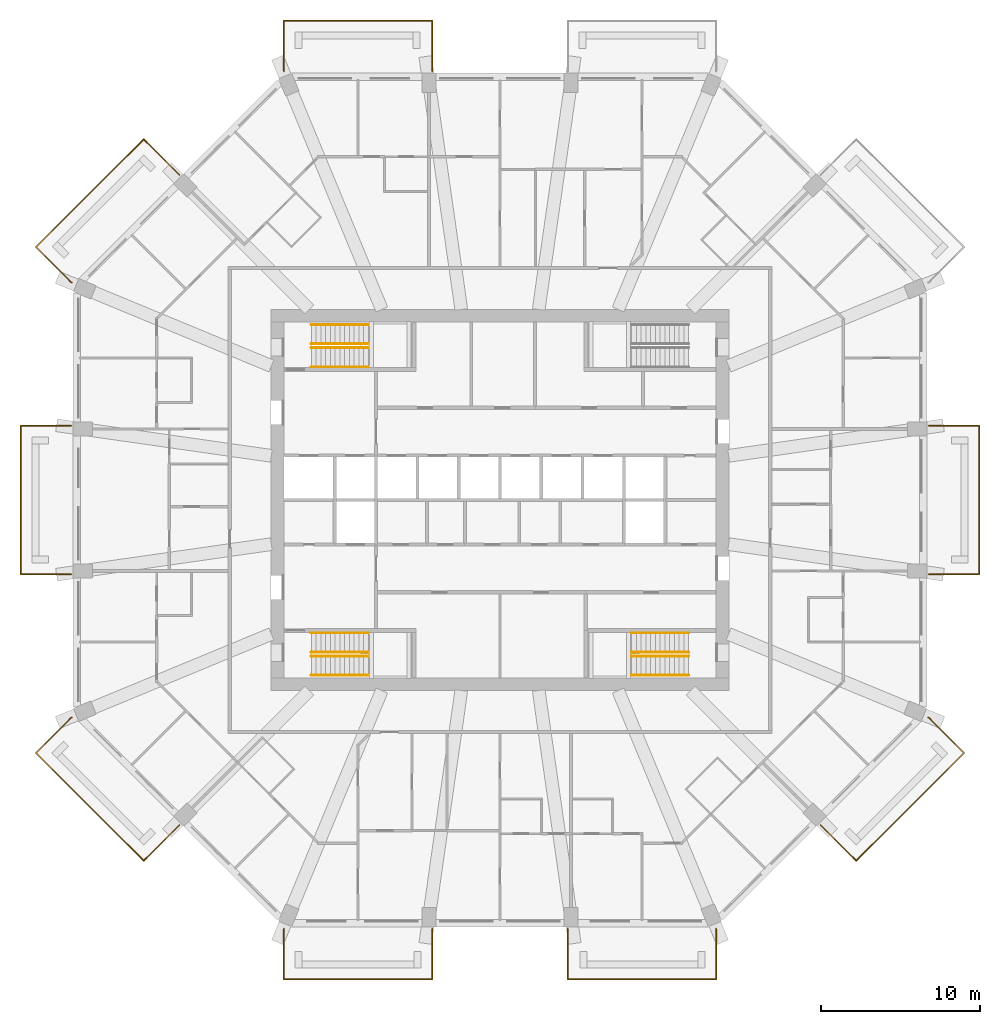
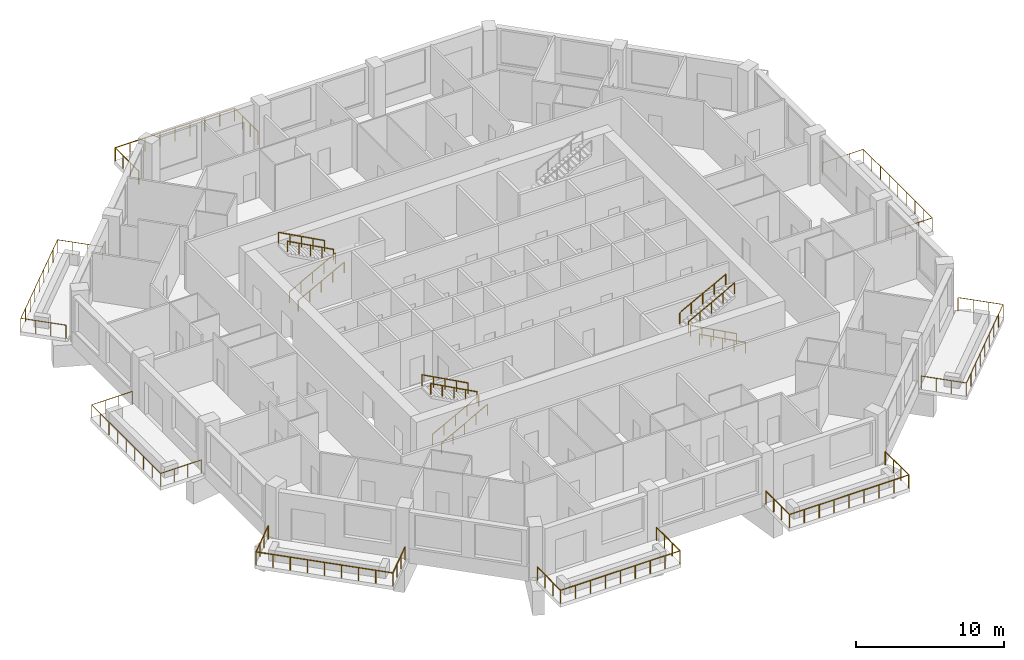
# One storey, part 12 of 13: 20 railings.
"""IFC4 building model written with IfcOpenShell, lengths in metres."""

import ifcopenshell
import ifcopenshell.guid

model = None  # the IFC model being written
_history = None  # IfcOwnerHistory: only IFC2X3 demands one
_inside = {}  # id of a spatial element -> (the spatial element, [elements in it])
_under = {}  # id of a project, library or spatial element -> (it, [spatial elements below it])
_declared = {}  # id of a project -> (the project, [libraries it declares])
_typed = {}  # id of a type object -> (the type object, [elements of that type])
_made_of = {}  # id of a material, layer set ... -> (it, [elements and type objects made of it])


def new_model(schema):
    """Start an empty IFC model of exactly this schema.

    Asked for "IFC4X3", IfcOpenShell would pick the latest addendum, in which some entities
    have other attributes; the version numbers below select the first issue.
    IFC2X3 requires an IfcOwnerHistory on every rooted entity: one is made here for all.
    """
    global model, _history
    if schema == "IFC4X3":
        model = ifcopenshell.file(schema_version=(4, 3, 0, 0))
    else:
        model = ifcopenshell.file(schema=schema)
    _inside.clear()
    _under.clear()
    _declared.clear()
    _typed.clear()
    _made_of.clear()
    _history = None
    if model.schema == "IFC2X3":
        org = make("IfcOrganization", Name="unknown")
        user = make(
            "IfcPersonAndOrganization",
            ThePerson=make("IfcPerson", FamilyName="unknown"),
            TheOrganization=org,
        )
        app = make(
            "IfcApplication",
            ApplicationDeveloper=org,
            Version="unknown",
            ApplicationFullName="unknown",
            ApplicationIdentifier="unknown",
        )
        _history = make(
            "IfcOwnerHistory",
            OwningUser=user,
            OwningApplication=app,
            ChangeAction="ADDED",
            CreationDate=0,
        )
    return model


def make(cls, **values):
    """One entity of the class cls with the attributes given. An attribute that is None is left unset."""
    return model.create_entity(
        cls, **{name: value for name, value in values.items() if value is not None}
    )


def rooted(cls, **values):
    """An entity with a GlobalId (a new one), such as an element, a storey or a relation."""
    return make(cls, GlobalId=ifcopenshell.guid.new(), OwnerHistory=_history, **values)


def si_unit(unit_type, name, prefix=None):
    """IfcSIUnit, for example si_unit("LENGTHUNIT", "METRE", prefix="MILLI")."""
    return make("IfcSIUnit", UnitType=unit_type, Prefix=prefix, Name=name)


def assignment(units):
    """IfcUnitAssignment: the units of a project."""
    return None if units is None else make("IfcUnitAssignment", Units=units)


def point(xyz):
    """IfcCartesianPoint."""
    return None if xyz is None else make("IfcCartesianPoint", Coordinates=xyz)


def direction(xyz):
    """IfcDirection."""
    return None if xyz is None else make("IfcDirection", DirectionRatios=xyz)


def frame(location, z_axis=None, x_axis=None):
    """IfcAxis2Placement3D, a coordinate frame: its origin and axes. An axis left out is left unset."""
    return make(
        "IfcAxis2Placement3D",
        Location=point(location),
        Axis=direction(z_axis),
        RefDirection=direction(x_axis),
    )


def frame_2d(location, x_axis=None):
    """IfcAxis2Placement2D, a coordinate frame in the plane: its origin and x axis."""
    return make(
        "IfcAxis2Placement2D", Location=point(location), RefDirection=direction(x_axis)
    )


def origin():
    """The frame at (0, 0, 0) with its axes left unset."""
    return frame((0.0, 0.0, 0.0))


def origin_2d():
    """The frame at (0, 0) in the plane with its x axis left unset."""
    return frame_2d((0.0, 0.0))


def place(relative_to, where):
    """IfcLocalPlacement: puts the frame where relative to a parent placement (None: the world)."""
    return make(
        "IfcLocalPlacement", PlacementRelTo=relative_to, RelativePlacement=where
    )


def context(
    kind, dimensions, precision=None, world=None, true_north=None, identifier=None
):
    """IfcGeometricRepresentationContext, for example the 3D "Model" context."""
    return make(
        "IfcGeometricRepresentationContext",
        ContextIdentifier=identifier,
        ContextType=kind,
        CoordinateSpaceDimension=dimensions,
        Precision=precision,
        WorldCoordinateSystem=world,
        TrueNorth=true_north,
    )


def subcontext(parent, identifier, kind, view, scale=None):
    """IfcGeometricRepresentationSubContext, for example "Body" below "Model"."""
    return make(
        "IfcGeometricRepresentationSubContext",
        ContextIdentifier=identifier,
        ContextType=kind,
        ParentContext=parent,
        TargetScale=scale,
        TargetView=view,
    )


def project(units=None, contexts=None):
    """IfcProject with its units and contexts."""
    return rooted(
        "IfcProject",
        Name="project",
        RepresentationContexts=contexts,
        UnitsInContext=assignment(units),
    )


def spatial(cls, under=None, at=None, **own):
    """A site, building, storey or space (cls), placed at a placement, below another one or the project."""
    s = rooted(cls, ObjectPlacement=at, **own)
    if under is not None:
        _under.setdefault(under.id(), (under, []))[1].append(s)
    return s


def profile(cls, at=None, kind="AREA", **sizes):
    """A parametric profile (cls). Its sizes go by their IFC names, for example OverallWidth=200.0."""
    return make(cls, ProfileType=kind, Position=at, **sizes)


def circle(**sizes):
    """IfcCircleProfileDef."""
    return profile("IfcCircleProfileDef", **sizes)


def extrude(swept, where, along, depth):
    """IfcExtrudedAreaSolid: the profile swept, set in the frame where, extruded along a direction by depth."""
    return make(
        "IfcExtrudedAreaSolid",
        SweptArea=swept,
        Position=where,
        ExtrudedDirection=direction(along),
        Depth=depth,
    )


def shape(context_of_items, identifier, shape_type, items):
    """IfcShapeRepresentation: the items that make up one representation, for example the "Body"."""
    return make(
        "IfcShapeRepresentation",
        ContextOfItems=context_of_items,
        RepresentationIdentifier=identifier,
        RepresentationType=shape_type,
        Items=items,
    )


def material(Name=None, Category=None):
    """IfcMaterial."""
    return make("IfcMaterial", Name=Name, Category=Category)


def constituent(of_material, Name=None, Category=None, fraction=None):
    """IfcMaterialConstituent: one of the materials an element consists of."""
    return make(
        "IfcMaterialConstituent",
        Name=Name,
        Material=of_material,
        Fraction=fraction,
        Category=Category,
    )


def constituent_set(constituents=None, Name=None):
    """IfcMaterialConstituentSet."""
    return make(
        "IfcMaterialConstituentSet", Name=Name, MaterialConstituents=constituents
    )


def made_of(thing, what):
    """Note that an element or type object is made of a material, layer set ...; save() writes the relation."""
    if what is not None:
        _made_of.setdefault(what.id(), (what, []))[1].append(thing)
    return thing


def type_object(cls, material=None, **own):
    """A type object (cls), such as IfcWallType, which elements share."""
    return made_of(rooted(cls, **own), material)


def element(
    cls,
    number,
    at=None,
    inside=None,
    cuts=None,
    type_object=None,
    material=None,
    context=None,
    identifier="Body",
    shape_type=None,
    held_by="IfcProductDefinitionShape",
    body=None,
    shapes=None,
    **own,
):
    """One element of the class cls, such as IfcWall. Its Tag is "e" and its number.

    at: its placement. inside: the storey or other place that contains it. cuts: it is an
    opening in that element (IfcRelVoidsElement). A single representation is given by context,
    identifier, shape_type and body (its items); several are given by shapes. held_by: the class
    of the entity that holds the representations. save() writes the other relations.
    """
    e = rooted(cls, Tag="e%d" % number, ObjectPlacement=at, **own)
    if body is not None:
        shapes = [shape(context, identifier, shape_type, body)]
    if shapes is not None:
        e.Representation = make(held_by, Representations=shapes)
    if inside is not None:
        _inside.setdefault(inside.id(), (inside, []))[1].append(e)
    if cuts is not None:
        rooted(
            "IfcRelVoidsElement", RelatingBuildingElement=cuts, RelatedOpeningElement=e
        )
    if type_object is not None:
        _typed.setdefault(type_object.id(), (type_object, []))[1].append(e)
    return made_of(e, material)


def aggregate(whole, parts):
    """IfcRelAggregates: a whole, such as a stair, and the parts it consists of."""
    return rooted("IfcRelAggregates", RelatingObject=whole, RelatedObjects=parts)


def save(model, path):
    """Write the relations noted so far, then the file.

    IfcRelAggregates (storeys below a building ...), IfcRelContainedInSpatialStructure (elements
    in a storey), IfcRelDefinesByType, IfcRelAssociatesMaterial and IfcRelDeclares: one each for
    every whole, place, type object, material and project.
    """
    for whole, parts in _under.values():
        aggregate(whole, parts)
    for where, things in _inside.values():
        rooted(
            "IfcRelContainedInSpatialStructure",
            RelatedElements=things,
            RelatingStructure=where,
        )
    for kind, things in _typed.values():
        rooted("IfcRelDefinesByType", RelatedObjects=things, RelatingType=kind)
    for what, things in _made_of.values():
        rooted("IfcRelAssociatesMaterial", RelatedObjects=things, RelatingMaterial=what)
    for by, libraries in _declared.values():
        rooted("IfcRelDeclares", RelatingContext=by, RelatedDefinitions=libraries)
    model.write(path)


model = new_model("IFC4")

# Units and contexts
model_context = context("Model", 3, precision=1e-05, world=origin(), true_north=direction((0.0, 1.0)))
body_context = subcontext(model_context, "Body", "Model", "MODEL_VIEW")
ifc_project = project(units=[si_unit("LENGTHUNIT", "METRE"), si_unit("AREAUNIT", "SQUARE_METRE"), si_unit("VOLUMEUNIT", "CUBIC_METRE"), si_unit("PLANEANGLEUNIT", "RADIAN"), si_unit("MASSUNIT", "GRAM", prefix="KILO")], contexts=[model_context])

# Site, building, storey
site_placement = place(None, origin())
site = spatial("IfcSite", under=ifc_project, at=site_placement, CompositionType="ELEMENT")
building_placement = place(site_placement, origin())
building = spatial("IfcBuilding", under=site, at=building_placement, Name="Msitu Wima Residences", CompositionType="ELEMENT")
storey_placement = place(building_placement, frame((0.0, 0.0, 106.5)))
storey = spatial("IfcBuildingStorey", under=building, at=storey_placement, Name="L24", CompositionType="ELEMENT", Elevation=106.5)

# Railings
ifc_material_1 = material(Name="Steel S355", Category="steel")
ifc_constituent_1 = constituent(ifc_material_1, Name="Steel S355")
ifc_material_2 = material(Name="Weathering patina")
ifc_constituent_2 = constituent(ifc_material_2, Name="Weathering patina")
ifc_constituent_set_1 = constituent_set(constituents=[ifc_constituent_1, ifc_constituent_2], Name="Steel S355")
railing_type_1 = type_object("IfcRailingType", Name="Balcony guard GR1100", PredefinedType="GUARDRAIL", material=ifc_constituent_set_1)
railing_1_placement = place(storey_placement, frame((26.97998046875, 4.668701171875, 0.0)))
element("IfcRailing", 1, at=railing_1_placement, inside=storey, type_object=railing_type_1, Name="Balcony guard E1 L24", PredefinedType="GUARDRAIL", context=body_context, shape_type="SweptSolid", body=[
    extrude(circle(Radius=0.02392578125, at=origin_2d()), frame((0.0, 0.0, 1.076171875), z_axis=(1.0, 0.0, 0.0), x_axis=(0.0, 1.0, 0.0)), (0.0, 0.0, 1.0), 3.169921875),
    extrude(circle(Radius=0.02392578125, at=origin_2d()), frame((3.169921875, 0.0, 1.076171875), z_axis=(0.0, -1.0, 0.0), x_axis=(1.0, 0.0, 0.0)), (0.0, 0.0, 1.0), 9.33740234375),
    extrude(circle(Radius=0.02392578125, at=origin_2d()), frame((3.169921875, -9.33740234375, 1.076171875), z_axis=(-1.0, 0.0, 0.0), x_axis=(0.0, -1.0, 0.0)), (0.0, 0.0, 1.0), 3.169921875),
    extrude(circle(Radius=0.02099609375, at=origin_2d()), origin(), (0.0, 0.0, 1.0), 1.052001953125),
    extrude(circle(Radius=0.02099609375, at=origin_2d()), frame((1.056640625, 0.0, 0.0)), (0.0, 0.0, 1.0), 1.052001953125),
    extrude(circle(Radius=0.02099609375, at=origin_2d()), frame((2.11328125, 0.0, 0.0)), (0.0, 0.0, 1.0), 1.052001953125),
    extrude(circle(Radius=0.02099609375, at=origin_2d()), frame((3.169921875, 0.0, 0.0)), (0.0, 0.0, 1.0), 1.052001953125),
    extrude(circle(Radius=0.02099609375, at=origin_2d()), frame((3.169921875, -1.167236328125, 0.0)), (0.0, 0.0, 1.0), 1.052001953125),
    extrude(circle(Radius=0.02099609375, at=origin_2d()), frame((3.169921875, -2.33447265625, 0.0)), (0.0, 0.0, 1.0), 1.052001953125),
    extrude(circle(Radius=0.02099609375, at=origin_2d()), frame((3.169921875, -3.50146484375, 0.0)), (0.0, 0.0, 1.0), 1.052001953125),
    extrude(circle(Radius=0.02099609375, at=origin_2d()), frame((3.169921875, -4.668701171875, 0.0)), (0.0, 0.0, 1.0), 1.052001953125),
    extrude(circle(Radius=0.02099609375, at=origin_2d()), frame((3.169921875, -5.8359375, 0.0)), (0.0, 0.0, 1.0), 1.052001953125),
    extrude(circle(Radius=0.02099609375, at=origin_2d()), frame((3.169921875, -7.0029296875, 0.0)), (0.0, 0.0, 1.0), 1.052001953125),
    extrude(circle(Radius=0.02099609375, at=origin_2d()), frame((3.169921875, -8.170166015625, 0.0)), (0.0, 0.0, 1.0), 1.052001953125),
    extrude(circle(Radius=0.02099609375, at=origin_2d()), frame((3.169921875, -9.33740234375, 0.0)), (0.0, 0.0, 1.0), 1.052001953125),
    extrude(circle(Radius=0.02099609375, at=origin_2d()), frame((2.11328125, -9.33740234375, 0.0)), (0.0, 0.0, 1.0), 1.052001953125),
    extrude(circle(Radius=0.02099609375, at=origin_2d()), frame((1.056640625, -9.33740234375, 0.0)), (0.0, 0.0, 1.0), 1.052001953125),
    extrude(circle(Radius=0.02099609375, at=origin_2d()), frame((0.0, -9.33740234375, 0.0)), (0.0, 0.0, 1.0), 1.052001953125),
])
railing_2_placement = place(storey_placement, frame((-13.592041015625, 26.97998046875, 0.0)))
element("IfcRailing", 2, at=railing_2_placement, inside=storey, type_object=railing_type_1, Name="Balcony guard N2 L24", PredefinedType="GUARDRAIL", context=body_context, shape_type="SweptSolid", body=[
    extrude(circle(Radius=0.02392578125, at=origin_2d()), frame((0.0, 0.0, 1.076171875), z_axis=(-0.384136806859, 0.923276184907, 0.0), x_axis=(-0.923276184907, -0.384136806859, 0.0)), (0.0, 0.0, 1.0), 0.0361328125),
    extrude(circle(Radius=0.02392578125, at=origin_2d()), frame((-0.013916015625, 0.033447265625, 1.076171875), z_axis=(0.0, 1.0, 0.0), x_axis=(-1.0, 0.0, 0.0)), (0.0, 0.0, 1.0), 3.136474609375),
    extrude(circle(Radius=0.02392578125, at=origin_2d()), frame((-0.013916015625, 3.169921875, 1.076171875), z_axis=(1.0, 0.0, 0.0), x_axis=(0.0, 1.0, 0.0)), (0.0, 0.0, 1.0), 9.33740234375),
    extrude(circle(Radius=0.02392578125, at=origin_2d()), frame((9.323486328125, 3.169921875, 1.076171875), z_axis=(0.0, -1.0, 0.0), x_axis=(1.0, 0.0, 0.0)), (0.0, 0.0, 1.0), 3.169921875),
    extrude(circle(Radius=0.02099609375, at=origin_2d()), origin(), (0.0, 0.0, 1.0), 1.052001953125),
    extrude(circle(Radius=0.02099609375, at=origin_2d()), frame((-0.013916015625, 0.033447265625, 0.0)), (0.0, 0.0, 1.0), 1.052001953125),
    extrude(circle(Radius=0.02099609375, at=origin_2d()), frame((-0.013916015625, 1.078857421875, 0.0)), (0.0, 0.0, 1.0), 1.052001953125),
    extrude(circle(Radius=0.02099609375, at=origin_2d()), frame((-0.013916015625, 2.12451171875, 0.0)), (0.0, 0.0, 1.0), 1.052001953125),
    extrude(circle(Radius=0.02099609375, at=origin_2d()), frame((-0.013916015625, 3.169921875, 0.0)), (0.0, 0.0, 1.0), 1.052001953125),
    extrude(circle(Radius=0.02099609375, at=origin_2d()), frame((1.1533203125, 3.169921875, 0.0)), (0.0, 0.0, 1.0), 1.052001953125),
    extrude(circle(Radius=0.02099609375, at=origin_2d()), frame((2.3203125, 3.169921875, 0.0)), (0.0, 0.0, 1.0), 1.052001953125),
    extrude(circle(Radius=0.02099609375, at=origin_2d()), frame((3.487548828125, 3.169921875, 0.0)), (0.0, 0.0, 1.0), 1.052001953125),
    extrude(circle(Radius=0.02099609375, at=origin_2d()), frame((4.65478515625, 3.169921875, 0.0)), (0.0, 0.0, 1.0), 1.052001953125),
    extrude(circle(Radius=0.02099609375, at=origin_2d()), frame((5.822021484375, 3.169921875, 0.0)), (0.0, 0.0, 1.0), 1.052001953125),
    extrude(circle(Radius=0.02099609375, at=origin_2d()), frame((6.9892578125, 3.169921875, 0.0)), (0.0, 0.0, 1.0), 1.052001953125),
    extrude(circle(Radius=0.02099609375, at=origin_2d()), frame((8.15625, 3.169921875, 0.0)), (0.0, 0.0, 1.0), 1.052001953125),
    extrude(circle(Radius=0.02099609375, at=origin_2d()), frame((9.323486328125, 3.169921875, 0.0)), (0.0, 0.0, 1.0), 1.052001953125),
    extrude(circle(Radius=0.02099609375, at=origin_2d()), frame((9.323486328125, 2.11328125, 0.0)), (0.0, 0.0, 1.0), 1.052001953125),
    extrude(circle(Radius=0.02099609375, at=origin_2d()), frame((9.323486328125, 1.056640625, 0.0)), (0.0, 0.0, 1.0), 1.052001953125),
    extrude(circle(Radius=0.02099609375, at=origin_2d()), frame((9.323486328125, 0.0, 0.0)), (0.0, 0.0, 1.0), 1.052001953125),
])
railing_3_placement = place(storey_placement, frame((-26.941650390625, 13.684326171875, 0.0)))
element("IfcRailing", 3, at=railing_3_placement, inside=storey, type_object=railing_type_1, Name="Balcony guard NW1 L24", PredefinedType="GUARDRAIL", context=body_context, shape_type="SweptSolid", body=[
    extrude(circle(Radius=0.02392578125, at=origin_2d()), frame((0.0, 0.0, 1.076171875), z_axis=(-0.92426142649, 0.38176015442, 0.0), x_axis=(-0.38176015442, -0.92426142649, 0.0)), (0.0, 0.0, 1.0), 0.036376953125),
    extrude(circle(Radius=0.02392578125, at=origin_2d()), frame((-0.03369140625, 0.013916015625, 1.076171875), z_axis=(-0.707106781187, 0.707106781187, 0.0), x_axis=(-0.707106781187, -0.707106781187, 0.0)), (0.0, 0.0, 1.0), 3.136474609375),
    extrude(circle(Radius=0.02392578125, at=origin_2d()), frame((-2.25146484375, 2.231689453125, 1.076171875), z_axis=(0.707106781187, 0.707106781187, 0.0), x_axis=(-0.707106781187, 0.707106781187, 0.0)), (0.0, 0.0, 1.0), 9.58837890625),
    extrude(circle(Radius=0.02392578125, at=origin_2d()), frame((4.528564453125, 9.01171875, 1.076171875), z_axis=(0.707106781187, -0.707106781187, 0.0), x_axis=(0.707106781187, 0.707106781187, 0.0)), (0.0, 0.0, 1.0), 3.169921875),
    extrude(circle(Radius=0.02099609375, at=origin_2d()), origin(), (0.0, 0.0, 1.0), 1.052001953125),
    extrude(circle(Radius=0.02099609375, at=origin_2d()), frame((-0.03369140625, 0.013916015625, 0.0)), (0.0, 0.0, 1.0), 1.052001953125),
    extrude(circle(Radius=0.02099609375, at=origin_2d()), frame((-0.77294921875, 0.753173828125, 0.0)), (0.0, 0.0, 1.0), 1.052001953125),
    extrude(circle(Radius=0.02099609375, at=origin_2d()), frame((-1.51220703125, 1.492431640625, 0.0)), (0.0, 0.0, 1.0), 1.052001953125),
    extrude(circle(Radius=0.02099609375, at=origin_2d()), frame((-2.25146484375, 2.231689453125, 0.0)), (0.0, 0.0, 1.0), 1.052001953125),
    extrude(circle(Radius=0.02099609375, at=origin_2d()), frame((-1.404052734375, 3.0791015625, 0.0)), (0.0, 0.0, 1.0), 1.052001953125),
    extrude(circle(Radius=0.02099609375, at=origin_2d()), frame((-0.556396484375, 3.9267578125, 0.0)), (0.0, 0.0, 1.0), 1.052001953125),
    extrude(circle(Radius=0.02099609375, at=origin_2d()), frame((0.291015625, 4.774169921875, 0.0)), (0.0, 0.0, 1.0), 1.052001953125),
    extrude(circle(Radius=0.02099609375, at=origin_2d()), frame((1.138671875, 5.62158203125, 0.0)), (0.0, 0.0, 1.0), 1.052001953125),
    extrude(circle(Radius=0.02099609375, at=origin_2d()), frame((1.986083984375, 6.46923828125, 0.0)), (0.0, 0.0, 1.0), 1.052001953125),
    extrude(circle(Radius=0.02099609375, at=origin_2d()), frame((2.83349609375, 7.316650390625, 0.0)), (0.0, 0.0, 1.0), 1.052001953125),
    extrude(circle(Radius=0.02099609375, at=origin_2d()), frame((3.68115234375, 8.164306640625, 0.0)), (0.0, 0.0, 1.0), 1.052001953125),
    extrude(circle(Radius=0.02099609375, at=origin_2d()), frame((4.528564453125, 9.01171875, 0.0)), (0.0, 0.0, 1.0), 1.052001953125),
    extrude(circle(Radius=0.02099609375, at=origin_2d()), frame((5.275634765625, 8.2646484375, 0.0)), (0.0, 0.0, 1.0), 1.052001953125),
    extrude(circle(Radius=0.02099609375, at=origin_2d()), frame((6.02294921875, 7.517333984375, 0.0)), (0.0, 0.0, 1.0), 1.052001953125),
    extrude(circle(Radius=0.02099609375, at=origin_2d()), frame((6.77001953125, 6.770263671875, 0.0)), (0.0, 0.0, 1.0), 1.052001953125),
])
railing_4_placement = place(storey_placement, frame((-26.97998046875, -4.668701171875, 0.0)))
element("IfcRailing", 4, at=railing_4_placement, inside=storey, type_object=railing_type_1, Name="Balcony guard W1 L24", PredefinedType="GUARDRAIL", context=body_context, shape_type="SweptSolid", body=[
    extrude(circle(Radius=0.02392578125, at=origin_2d()), frame((0.0, 0.0, 1.076171875), z_axis=(-1.0, 0.0, 0.0), x_axis=(0.0, -1.0, 0.0)), (0.0, 0.0, 1.0), 3.169921875),
    extrude(circle(Radius=0.02392578125, at=origin_2d()), frame((-3.169921875, 0.0, 1.076171875), z_axis=(0.0, 1.0, 0.0), x_axis=(-1.0, 0.0, 0.0)), (0.0, 0.0, 1.0), 9.33740234375),
    extrude(circle(Radius=0.02392578125, at=origin_2d()), frame((-3.169921875, 9.33740234375, 1.076171875), z_axis=(1.0, 0.0, 0.0), x_axis=(0.0, 1.0, 0.0)), (0.0, 0.0, 1.0), 3.169921875),
    extrude(circle(Radius=0.02099609375, at=origin_2d()), origin(), (0.0, 0.0, 1.0), 1.052001953125),
    extrude(circle(Radius=0.02099609375, at=origin_2d()), frame((-1.056640625, 0.0, 0.0)), (0.0, 0.0, 1.0), 1.052001953125),
    extrude(circle(Radius=0.02099609375, at=origin_2d()), frame((-2.11328125, 0.0, 0.0)), (0.0, 0.0, 1.0), 1.052001953125),
    extrude(circle(Radius=0.02099609375, at=origin_2d()), frame((-3.169921875, 0.0, 0.0)), (0.0, 0.0, 1.0), 1.052001953125),
    extrude(circle(Radius=0.02099609375, at=origin_2d()), frame((-3.169921875, 1.167236328125, 0.0)), (0.0, 0.0, 1.0), 1.052001953125),
    extrude(circle(Radius=0.02099609375, at=origin_2d()), frame((-3.169921875, 2.33447265625, 0.0)), (0.0, 0.0, 1.0), 1.052001953125),
    extrude(circle(Radius=0.02099609375, at=origin_2d()), frame((-3.169921875, 3.50146484375, 0.0)), (0.0, 0.0, 1.0), 1.052001953125),
    extrude(circle(Radius=0.02099609375, at=origin_2d()), frame((-3.169921875, 4.668701171875, 0.0)), (0.0, 0.0, 1.0), 1.052001953125),
    extrude(circle(Radius=0.02099609375, at=origin_2d()), frame((-3.169921875, 5.8359375, 0.0)), (0.0, 0.0, 1.0), 1.052001953125),
    extrude(circle(Radius=0.02099609375, at=origin_2d()), frame((-3.169921875, 7.0029296875, 0.0)), (0.0, 0.0, 1.0), 1.052001953125),
    extrude(circle(Radius=0.02099609375, at=origin_2d()), frame((-3.169921875, 8.170166015625, 0.0)), (0.0, 0.0, 1.0), 1.052001953125),
    extrude(circle(Radius=0.02099609375, at=origin_2d()), frame((-3.169921875, 9.33740234375, 0.0)), (0.0, 0.0, 1.0), 1.052001953125),
    extrude(circle(Radius=0.02099609375, at=origin_2d()), frame((-2.11328125, 9.33740234375, 0.0)), (0.0, 0.0, 1.0), 1.052001953125),
    extrude(circle(Radius=0.02099609375, at=origin_2d()), frame((-1.056640625, 9.33740234375, 0.0)), (0.0, 0.0, 1.0), 1.052001953125),
    extrude(circle(Radius=0.02099609375, at=origin_2d()), frame((0.0, 9.33740234375, 0.0)), (0.0, 0.0, 1.0), 1.052001953125),
])
railing_5_placement = place(storey_placement, frame((-20.171630859375, -20.45458984375, 0.0)))
element("IfcRailing", 5, at=railing_5_placement, inside=storey, type_object=railing_type_1, Name="Balcony guard SW0 L24", PredefinedType="GUARDRAIL", context=body_context, shape_type="SweptSolid", body=[
    extrude(circle(Radius=0.02392578125, at=origin_2d()), frame((0.0, 0.0, 1.076171875), z_axis=(-0.707106781187, -0.707106781187, 0.0), x_axis=(0.707106781187, -0.707106781187, 0.0)), (0.0, 0.0, 1.0), 3.169921875),
    extrude(circle(Radius=0.02392578125, at=origin_2d()), frame((-2.241455078125, -2.241455078125, 1.076171875), z_axis=(-0.707106781187, 0.707106781187, 0.0), x_axis=(-0.707106781187, -0.707106781187, 0.0)), (0.0, 0.0, 1.0), 9.58837890625),
    extrude(circle(Radius=0.02392578125, at=origin_2d()), frame((-9.021484375, 4.53857421875, 1.076171875), z_axis=(0.707106781187, 0.707106781187, 0.0), x_axis=(-0.707106781187, 0.707106781187, 0.0)), (0.0, 0.0, 1.0), 3.136474609375),
    extrude(circle(Radius=0.02392578125, at=origin_2d()), frame((-6.8037109375, 6.75634765625, 1.076171875), z_axis=(0.92426142649, 0.38176015442, 0.0), x_axis=(-0.38176015442, 0.92426142649, 0.0)), (0.0, 0.0, 1.0), 0.036376953125),
    extrude(circle(Radius=0.02099609375, at=origin_2d()), origin(), (0.0, 0.0, 1.0), 1.052001953125),
    extrude(circle(Radius=0.02099609375, at=origin_2d()), frame((-0.7470703125, -0.7470703125, 0.0)), (0.0, 0.0, 1.0), 1.052001953125),
    extrude(circle(Radius=0.02099609375, at=origin_2d()), frame((-1.494384765625, -1.494384765625, 0.0)), (0.0, 0.0, 1.0), 1.052001953125),
    extrude(circle(Radius=0.02099609375, at=origin_2d()), frame((-2.241455078125, -2.241455078125, 0.0)), (0.0, 0.0, 1.0), 1.052001953125),
    extrude(circle(Radius=0.02099609375, at=origin_2d()), frame((-3.0888671875, -1.39404296875, 0.0)), (0.0, 0.0, 1.0), 1.052001953125),
    extrude(circle(Radius=0.02099609375, at=origin_2d()), frame((-3.9365234375, -0.54638671875, 0.0)), (0.0, 0.0, 1.0), 1.052001953125),
    extrude(circle(Radius=0.02099609375, at=origin_2d()), frame((-4.783935546875, 0.301025390625, 0.0)), (0.0, 0.0, 1.0), 1.052001953125),
    extrude(circle(Radius=0.02099609375, at=origin_2d()), frame((-5.63134765625, 1.1484375, 0.0)), (0.0, 0.0, 1.0), 1.052001953125),
    extrude(circle(Radius=0.02099609375, at=origin_2d()), frame((-6.47900390625, 1.99609375, 0.0)), (0.0, 0.0, 1.0), 1.052001953125),
    extrude(circle(Radius=0.02099609375, at=origin_2d()), frame((-7.326416015625, 2.843505859375, 0.0)), (0.0, 0.0, 1.0), 1.052001953125),
    extrude(circle(Radius=0.02099609375, at=origin_2d()), frame((-8.174072265625, 3.691162109375, 0.0)), (0.0, 0.0, 1.0), 1.052001953125),
    extrude(circle(Radius=0.02099609375, at=origin_2d()), frame((-9.021484375, 4.53857421875, 0.0)), (0.0, 0.0, 1.0), 1.052001953125),
    extrude(circle(Radius=0.02099609375, at=origin_2d()), frame((-8.2822265625, 5.27783203125, 0.0)), (0.0, 0.0, 1.0), 1.052001953125),
    extrude(circle(Radius=0.02099609375, at=origin_2d()), frame((-7.54296875, 6.01708984375, 0.0)), (0.0, 0.0, 1.0), 1.052001953125),
    extrude(circle(Radius=0.02099609375, at=origin_2d()), frame((-6.8037109375, 6.75634765625, 0.0)), (0.0, 0.0, 1.0), 1.052001953125),
    extrude(circle(Radius=0.02099609375, at=origin_2d()), frame((-6.77001953125, 6.770263671875, 0.0)), (0.0, 0.0, 1.0), 1.052001953125),
])
railing_6_placement = place(storey_placement, frame((-4.2685546875, -26.97998046875, 0.0)))
element("IfcRailing", 6, at=railing_6_placement, inside=storey, type_object=railing_type_1, Name="Balcony guard S0 L24", PredefinedType="GUARDRAIL", context=body_context, shape_type="SweptSolid", body=[
    extrude(circle(Radius=0.02392578125, at=origin_2d()), frame((0.0, 0.0, 1.076171875), z_axis=(0.0, -1.0, 0.0), x_axis=(1.0, 0.0, 0.0)), (0.0, 0.0, 1.0), 3.169921875),
    extrude(circle(Radius=0.02392578125, at=origin_2d()), frame((0.0, -3.169921875, 1.076171875), z_axis=(-1.0, 0.0, 0.0), x_axis=(0.0, -1.0, 0.0)), (0.0, 0.0, 1.0), 9.33740234375),
    extrude(circle(Radius=0.02392578125, at=origin_2d()), frame((-9.33740234375, -3.169921875, 1.076171875), z_axis=(0.0, 1.0, 0.0), x_axis=(-1.0, 0.0, 0.0)), (0.0, 0.0, 1.0), 3.136474609375),
    extrude(circle(Radius=0.02392578125, at=origin_2d()), frame((-9.33740234375, -0.033447265625, 1.076171875), z_axis=(0.384136806859, 0.923276184907, 0.0), x_axis=(-0.923276184907, 0.384136806859, 0.0)), (0.0, 0.0, 1.0), 0.0361328125),
    extrude(circle(Radius=0.02099609375, at=origin_2d()), origin(), (0.0, 0.0, 1.0), 1.052001953125),
    extrude(circle(Radius=0.02099609375, at=origin_2d()), frame((0.0, -1.056640625, 0.0)), (0.0, 0.0, 1.0), 1.052001953125),
    extrude(circle(Radius=0.02099609375, at=origin_2d()), frame((0.0, -2.11328125, 0.0)), (0.0, 0.0, 1.0), 1.052001953125),
    extrude(circle(Radius=0.02099609375, at=origin_2d()), frame((0.0, -3.169921875, 0.0)), (0.0, 0.0, 1.0), 1.052001953125),
    extrude(circle(Radius=0.02099609375, at=origin_2d()), frame((-1.167236328125, -3.169921875, 0.0)), (0.0, 0.0, 1.0), 1.052001953125),
    extrude(circle(Radius=0.02099609375, at=origin_2d()), frame((-2.33447265625, -3.169921875, 0.0)), (0.0, 0.0, 1.0), 1.052001953125),
    extrude(circle(Radius=0.02099609375, at=origin_2d()), frame((-3.50146484375, -3.169921875, 0.0)), (0.0, 0.0, 1.0), 1.052001953125),
    extrude(circle(Radius=0.02099609375, at=origin_2d()), frame((-4.668701171875, -3.169921875, 0.0)), (0.0, 0.0, 1.0), 1.052001953125),
    extrude(circle(Radius=0.02099609375, at=origin_2d()), frame((-5.8359375, -3.169921875, 0.0)), (0.0, 0.0, 1.0), 1.052001953125),
    extrude(circle(Radius=0.02099609375, at=origin_2d()), frame((-7.0029296875, -3.169921875, 0.0)), (0.0, 0.0, 1.0), 1.052001953125),
    extrude(circle(Radius=0.02099609375, at=origin_2d()), frame((-8.170166015625, -3.169921875, 0.0)), (0.0, 0.0, 1.0), 1.052001953125),
    extrude(circle(Radius=0.02099609375, at=origin_2d()), frame((-9.33740234375, -3.169921875, 0.0)), (0.0, 0.0, 1.0), 1.052001953125),
    extrude(circle(Radius=0.02099609375, at=origin_2d()), frame((-9.33740234375, -2.12451171875, 0.0)), (0.0, 0.0, 1.0), 1.052001953125),
    extrude(circle(Radius=0.02099609375, at=origin_2d()), frame((-9.33740234375, -1.078857421875, 0.0)), (0.0, 0.0, 1.0), 1.052001953125),
    extrude(circle(Radius=0.02099609375, at=origin_2d()), frame((-9.33740234375, -0.033447265625, 0.0)), (0.0, 0.0, 1.0), 1.052001953125),
    extrude(circle(Radius=0.02099609375, at=origin_2d()), frame((-9.323486328125, 0.0, 0.0)), (0.0, 0.0, 1.0), 1.052001953125),
])
railing_7_placement = place(storey_placement, frame((13.592041015625, -26.97998046875, 0.0)))
element("IfcRailing", 7, at=railing_7_placement, inside=storey, type_object=railing_type_1, Name="Balcony guard S2 L24", PredefinedType="GUARDRAIL", context=body_context, shape_type="SweptSolid", body=[
    extrude(circle(Radius=0.02392578125, at=origin_2d()), frame((0.0, 0.0, 1.076171875), z_axis=(0.384136806859, -0.923276184907, 0.0), x_axis=(0.923276184907, 0.384136806859, 0.0)), (0.0, 0.0, 1.0), 0.0361328125),
    extrude(circle(Radius=0.02392578125, at=origin_2d()), frame((0.013916015625, -0.033447265625, 1.076171875), z_axis=(0.0, -1.0, 0.0), x_axis=(1.0, 0.0, 0.0)), (0.0, 0.0, 1.0), 3.136474609375),
    extrude(circle(Radius=0.02392578125, at=origin_2d()), frame((0.013916015625, -3.169921875, 1.076171875), z_axis=(-1.0, 0.0, 0.0), x_axis=(0.0, -1.0, 0.0)), (0.0, 0.0, 1.0), 9.33740234375),
    extrude(circle(Radius=0.02392578125, at=origin_2d()), frame((-9.323486328125, -3.169921875, 1.076171875), z_axis=(0.0, 1.0, 0.0), x_axis=(-1.0, 0.0, 0.0)), (0.0, 0.0, 1.0), 3.169921875),
    extrude(circle(Radius=0.02099609375, at=origin_2d()), origin(), (0.0, 0.0, 1.0), 1.052001953125),
    extrude(circle(Radius=0.02099609375, at=origin_2d()), frame((0.013916015625, -0.033447265625, 0.0)), (0.0, 0.0, 1.0), 1.052001953125),
    extrude(circle(Radius=0.02099609375, at=origin_2d()), frame((0.013916015625, -1.078857421875, 0.0)), (0.0, 0.0, 1.0), 1.052001953125),
    extrude(circle(Radius=0.02099609375, at=origin_2d()), frame((0.013916015625, -2.12451171875, 0.0)), (0.0, 0.0, 1.0), 1.052001953125),
    extrude(circle(Radius=0.02099609375, at=origin_2d()), frame((0.013916015625, -3.169921875, 0.0)), (0.0, 0.0, 1.0), 1.052001953125),
    extrude(circle(Radius=0.02099609375, at=origin_2d()), frame((-1.1533203125, -3.169921875, 0.0)), (0.0, 0.0, 1.0), 1.052001953125),
    extrude(circle(Radius=0.02099609375, at=origin_2d()), frame((-2.3203125, -3.169921875, 0.0)), (0.0, 0.0, 1.0), 1.052001953125),
    extrude(circle(Radius=0.02099609375, at=origin_2d()), frame((-3.487548828125, -3.169921875, 0.0)), (0.0, 0.0, 1.0), 1.052001953125),
    extrude(circle(Radius=0.02099609375, at=origin_2d()), frame((-4.65478515625, -3.169921875, 0.0)), (0.0, 0.0, 1.0), 1.052001953125),
    extrude(circle(Radius=0.02099609375, at=origin_2d()), frame((-5.822021484375, -3.169921875, 0.0)), (0.0, 0.0, 1.0), 1.052001953125),
    extrude(circle(Radius=0.02099609375, at=origin_2d()), frame((-6.9892578125, -3.169921875, 0.0)), (0.0, 0.0, 1.0), 1.052001953125),
    extrude(circle(Radius=0.02099609375, at=origin_2d()), frame((-8.15625, -3.169921875, 0.0)), (0.0, 0.0, 1.0), 1.052001953125),
    extrude(circle(Radius=0.02099609375, at=origin_2d()), frame((-9.323486328125, -3.169921875, 0.0)), (0.0, 0.0, 1.0), 1.052001953125),
    extrude(circle(Radius=0.02099609375, at=origin_2d()), frame((-9.323486328125, -2.11328125, 0.0)), (0.0, 0.0, 1.0), 1.052001953125),
    extrude(circle(Radius=0.02099609375, at=origin_2d()), frame((-9.323486328125, -1.056640625, 0.0)), (0.0, 0.0, 1.0), 1.052001953125),
    extrude(circle(Radius=0.02099609375, at=origin_2d()), frame((-9.323486328125, 0.0, 0.0)), (0.0, 0.0, 1.0), 1.052001953125),
])
railing_8_placement = place(storey_placement, frame((26.941650390625, -13.684326171875, 0.0)))
element("IfcRailing", 8, at=railing_8_placement, inside=storey, type_object=railing_type_1, Name="Balcony guard SE1 L24", PredefinedType="GUARDRAIL", context=body_context, shape_type="SweptSolid", body=[
    extrude(circle(Radius=0.02392578125, at=origin_2d()), frame((0.0, 0.0, 1.076171875), z_axis=(0.92426142649, -0.38176015442, 0.0), x_axis=(0.38176015442, 0.92426142649, 0.0)), (0.0, 0.0, 1.0), 0.036376953125),
    extrude(circle(Radius=0.02392578125, at=origin_2d()), frame((0.03369140625, -0.013916015625, 1.076171875), z_axis=(0.707106781187, -0.707106781187, 0.0), x_axis=(0.707106781187, 0.707106781187, 0.0)), (0.0, 0.0, 1.0), 3.136474609375),
    extrude(circle(Radius=0.02392578125, at=origin_2d()), frame((2.25146484375, -2.231689453125, 1.076171875), z_axis=(-0.707106781187, -0.707106781187, 0.0), x_axis=(0.707106781187, -0.707106781187, 0.0)), (0.0, 0.0, 1.0), 9.58837890625),
    extrude(circle(Radius=0.02392578125, at=origin_2d()), frame((-4.528564453125, -9.01171875, 1.076171875), z_axis=(-0.707106781187, 0.707106781187, 0.0), x_axis=(-0.707106781187, -0.707106781187, 0.0)), (0.0, 0.0, 1.0), 3.169921875),
    extrude(circle(Radius=0.02099609375, at=origin_2d()), origin(), (0.0, 0.0, 1.0), 1.052001953125),
    extrude(circle(Radius=0.02099609375, at=origin_2d()), frame((0.03369140625, -0.013916015625, 0.0)), (0.0, 0.0, 1.0), 1.052001953125),
    extrude(circle(Radius=0.02099609375, at=origin_2d()), frame((0.77294921875, -0.753173828125, 0.0)), (0.0, 0.0, 1.0), 1.052001953125),
    extrude(circle(Radius=0.02099609375, at=origin_2d()), frame((1.51220703125, -1.492431640625, 0.0)), (0.0, 0.0, 1.0), 1.052001953125),
    extrude(circle(Radius=0.02099609375, at=origin_2d()), frame((2.25146484375, -2.231689453125, 0.0)), (0.0, 0.0, 1.0), 1.052001953125),
    extrude(circle(Radius=0.02099609375, at=origin_2d()), frame((1.404052734375, -3.0791015625, 0.0)), (0.0, 0.0, 1.0), 1.052001953125),
    extrude(circle(Radius=0.02099609375, at=origin_2d()), frame((0.556396484375, -3.9267578125, 0.0)), (0.0, 0.0, 1.0), 1.052001953125),
    extrude(circle(Radius=0.02099609375, at=origin_2d()), frame((-0.291015625, -4.774169921875, 0.0)), (0.0, 0.0, 1.0), 1.052001953125),
    extrude(circle(Radius=0.02099609375, at=origin_2d()), frame((-1.138671875, -5.62158203125, 0.0)), (0.0, 0.0, 1.0), 1.052001953125),
    extrude(circle(Radius=0.02099609375, at=origin_2d()), frame((-1.986083984375, -6.46923828125, 0.0)), (0.0, 0.0, 1.0), 1.052001953125),
    extrude(circle(Radius=0.02099609375, at=origin_2d()), frame((-2.83349609375, -7.316650390625, 0.0)), (0.0, 0.0, 1.0), 1.052001953125),
    extrude(circle(Radius=0.02099609375, at=origin_2d()), frame((-3.68115234375, -8.164306640625, 0.0)), (0.0, 0.0, 1.0), 1.052001953125),
    extrude(circle(Radius=0.02099609375, at=origin_2d()), frame((-4.528564453125, -9.01171875, 0.0)), (0.0, 0.0, 1.0), 1.052001953125),
    extrude(circle(Radius=0.02099609375, at=origin_2d()), frame((-5.275634765625, -8.2646484375, 0.0)), (0.0, 0.0, 1.0), 1.052001953125),
    extrude(circle(Radius=0.02099609375, at=origin_2d()), frame((-6.02294921875, -7.517333984375, 0.0)), (0.0, 0.0, 1.0), 1.052001953125),
    extrude(circle(Radius=0.02099609375, at=origin_2d()), frame((-6.77001953125, -6.770263671875, 0.0)), (0.0, 0.0, 1.0), 1.052001953125),
])
ifc_constituent_3 = constituent(ifc_material_1, Name="Steel S355")
ifc_material_3 = material(Name="Black powder coating")
ifc_constituent_4 = constituent(ifc_material_3, Name="Black powder coating")
ifc_constituent_set_2 = constituent_set(constituents=[ifc_constituent_3, ifc_constituent_4], Name="Steel S355")
railing_type_2 = type_object("IfcRailingType", Name="Stair handrail HR1", PredefinedType="HANDRAIL", material=ifc_constituent_set_2)
for number, where, name in (
    (9, (-11.875, 8.375, 0.16162109375), "Stair 1 handrail"),
    (10, (-11.875, 9.574951171875, 0.16162109375), "Stair 1 handrail"),
):
    element("IfcRailing", number, at=place(storey_placement, frame(where)), inside=storey, type_object=railing_type_2, Name=name, PredefinedType="HANDRAIL", context=body_context, shape_type="SweptSolid", body=[
        extrude(circle(Radius=0.02392578125, at=origin_2d()), frame((0.0, 0.0, 0.8759765625), z_axis=(0.880474934443, 0.0, 0.474092701714), x_axis=(0.0, 1.0, 0.0)), (0.0, 0.0, 1.0), 4.0888671875),
        extrude(circle(Radius=0.02099609375, at=origin_2d()), origin(), (0.0, 0.0, 1.0), 0.851806640625),
        extrude(circle(Radius=0.02099609375, at=origin_2d()), frame((0.89990234375, 0.0, 0.484619140625)), (0.0, 0.0, 1.0), 0.851806640625),
        extrude(circle(Radius=0.02099609375, at=origin_2d()), frame((1.800048828125, 0.0, 0.96923828125)), (0.0, 0.0, 1.0), 0.851806640625),
        extrude(circle(Radius=0.02099609375, at=origin_2d()), frame((2.7001953125, 0.0, 1.453857421875)), (0.0, 0.0, 1.0), 0.851806640625),
        extrude(circle(Radius=0.02099609375, at=origin_2d()), frame((3.60009765625, 0.0, 1.9384765625)), (0.0, 0.0, 1.0), 0.851806640625),
    ])
for number, where, name in (
    (11, (-8.27490234375, 9.824951171875, 2.261474609375), "Stair 1 handrail"),
    (12, (-8.27490234375, 11.02490234375, 2.261474609375), "Stair 1 handrail"),
):
    element("IfcRailing", number, at=place(storey_placement, frame(where)), inside=storey, type_object=railing_type_2, Name=name, PredefinedType="HANDRAIL", context=body_context, shape_type="SweptSolid", body=[
        extrude(circle(Radius=0.02392578125, at=origin_2d()), frame((0.0, 0.0, 0.8759765625), z_axis=(-0.880474934443, 0.0, 0.474092701714), x_axis=(0.0, -1.0, 0.0)), (0.0, 0.0, 1.0), 4.0888671875),
        extrude(circle(Radius=0.02099609375, at=origin_2d()), origin(), (0.0, 0.0, 1.0), 0.851806640625),
        extrude(circle(Radius=0.02099609375, at=origin_2d()), frame((-0.89990234375, 0.0, 0.484619140625)), (0.0, 0.0, 1.0), 0.851806640625),
        extrude(circle(Radius=0.02099609375, at=origin_2d()), frame((-1.800048828125, 0.0, 0.96923828125)), (0.0, 0.0, 1.0), 0.851806640625),
        extrude(circle(Radius=0.02099609375, at=origin_2d()), frame((-2.7001953125, 0.0, 1.453857421875)), (0.0, 0.0, 1.0), 0.851806640625),
        extrude(circle(Radius=0.02099609375, at=origin_2d()), frame((-3.60009765625, 0.0, 1.9384765625)), (0.0, 0.0, 1.0), 0.851806640625),
    ])
for number, where, name in (
    (13, (-11.875, -11.02490234375, 0.16162109375), "Stair 2 handrail"),
    (14, (-11.875, -9.824951171875, 0.16162109375), "Stair 2 handrail"),
):
    element("IfcRailing", number, at=place(storey_placement, frame(where)), inside=storey, type_object=railing_type_2, Name=name, PredefinedType="HANDRAIL", context=body_context, shape_type="SweptSolid", body=[
        extrude(circle(Radius=0.02392578125, at=origin_2d()), frame((0.0, 0.0, 0.8759765625), z_axis=(0.880474934443, 0.0, 0.474092701714), x_axis=(0.0, 1.0, 0.0)), (0.0, 0.0, 1.0), 4.0888671875),
        extrude(circle(Radius=0.02099609375, at=origin_2d()), origin(), (0.0, 0.0, 1.0), 0.851806640625),
        extrude(circle(Radius=0.02099609375, at=origin_2d()), frame((0.89990234375, 0.0, 0.484619140625)), (0.0, 0.0, 1.0), 0.851806640625),
        extrude(circle(Radius=0.02099609375, at=origin_2d()), frame((1.800048828125, 0.0, 0.96923828125)), (0.0, 0.0, 1.0), 0.851806640625),
        extrude(circle(Radius=0.02099609375, at=origin_2d()), frame((2.7001953125, 0.0, 1.453857421875)), (0.0, 0.0, 1.0), 0.851806640625),
        extrude(circle(Radius=0.02099609375, at=origin_2d()), frame((3.60009765625, 0.0, 1.9384765625)), (0.0, 0.0, 1.0), 0.851806640625),
    ])
for number, where, name in (
    (15, (-8.27490234375, -9.574951171875, 2.261474609375), "Stair 2 handrail"),
    (16, (-8.27490234375, -8.375, 2.261474609375), "Stair 2 handrail"),
    (17, (11.875, -11.02490234375, 0.16162109375), "Stair 4 handrail"),
    (18, (11.875, -9.824951171875, 0.16162109375), "Stair 4 handrail"),
):
    element("IfcRailing", number, at=place(storey_placement, frame(where)), inside=storey, type_object=railing_type_2, Name=name, PredefinedType="HANDRAIL", context=body_context, shape_type="SweptSolid", body=[
        extrude(circle(Radius=0.02392578125, at=origin_2d()), frame((0.0, 0.0, 0.8759765625), z_axis=(-0.880474934443, 0.0, 0.474092701714), x_axis=(0.0, -1.0, 0.0)), (0.0, 0.0, 1.0), 4.0888671875),
        extrude(circle(Radius=0.02099609375, at=origin_2d()), origin(), (0.0, 0.0, 1.0), 0.851806640625),
        extrude(circle(Radius=0.02099609375, at=origin_2d()), frame((-0.89990234375, 0.0, 0.484619140625)), (0.0, 0.0, 1.0), 0.851806640625),
        extrude(circle(Radius=0.02099609375, at=origin_2d()), frame((-1.800048828125, 0.0, 0.96923828125)), (0.0, 0.0, 1.0), 0.851806640625),
        extrude(circle(Radius=0.02099609375, at=origin_2d()), frame((-2.7001953125, 0.0, 1.453857421875)), (0.0, 0.0, 1.0), 0.851806640625),
        extrude(circle(Radius=0.02099609375, at=origin_2d()), frame((-3.60009765625, 0.0, 1.9384765625)), (0.0, 0.0, 1.0), 0.851806640625),
    ])
for number, where, name in (
    (19, (8.27490234375, -9.574951171875, 2.261474609375), "Stair 4 handrail"),
    (20, (8.27490234375, -8.375, 2.261474609375), "Stair 4 handrail"),
):
    element("IfcRailing", number, at=place(storey_placement, frame(where)), inside=storey, type_object=railing_type_2, Name=name, PredefinedType="HANDRAIL", context=body_context, shape_type="SweptSolid", body=[
        extrude(circle(Radius=0.02392578125, at=origin_2d()), frame((0.0, 0.0, 0.8759765625), z_axis=(0.880474934443, 0.0, 0.474092701714), x_axis=(0.0, 1.0, 0.0)), (0.0, 0.0, 1.0), 4.0888671875),
        extrude(circle(Radius=0.02099609375, at=origin_2d()), origin(), (0.0, 0.0, 1.0), 0.851806640625),
        extrude(circle(Radius=0.02099609375, at=origin_2d()), frame((0.89990234375, 0.0, 0.484619140625)), (0.0, 0.0, 1.0), 0.851806640625),
        extrude(circle(Radius=0.02099609375, at=origin_2d()), frame((1.800048828125, 0.0, 0.96923828125)), (0.0, 0.0, 1.0), 0.851806640625),
        extrude(circle(Radius=0.02099609375, at=origin_2d()), frame((2.7001953125, 0.0, 1.453857421875)), (0.0, 0.0, 1.0), 0.851806640625),
        extrude(circle(Radius=0.02099609375, at=origin_2d()), frame((3.60009765625, 0.0, 1.9384765625)), (0.0, 0.0, 1.0), 0.851806640625),
    ])

save(model, "model.ifc")
